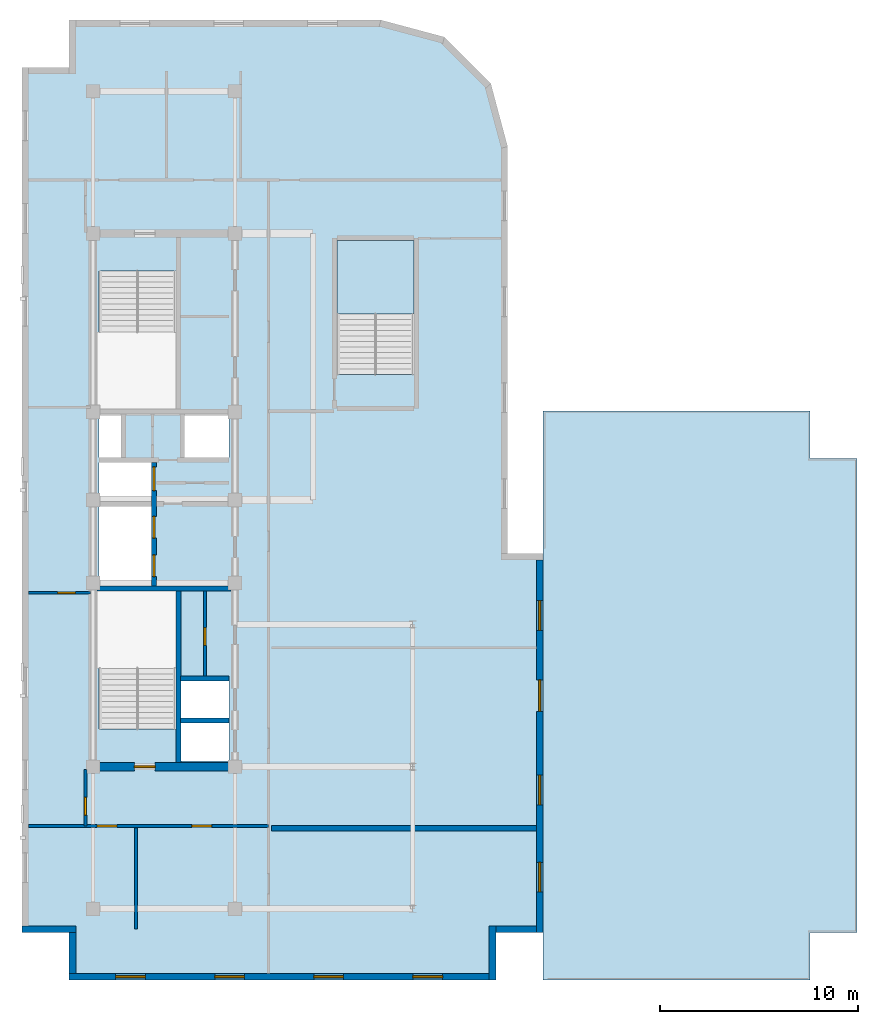
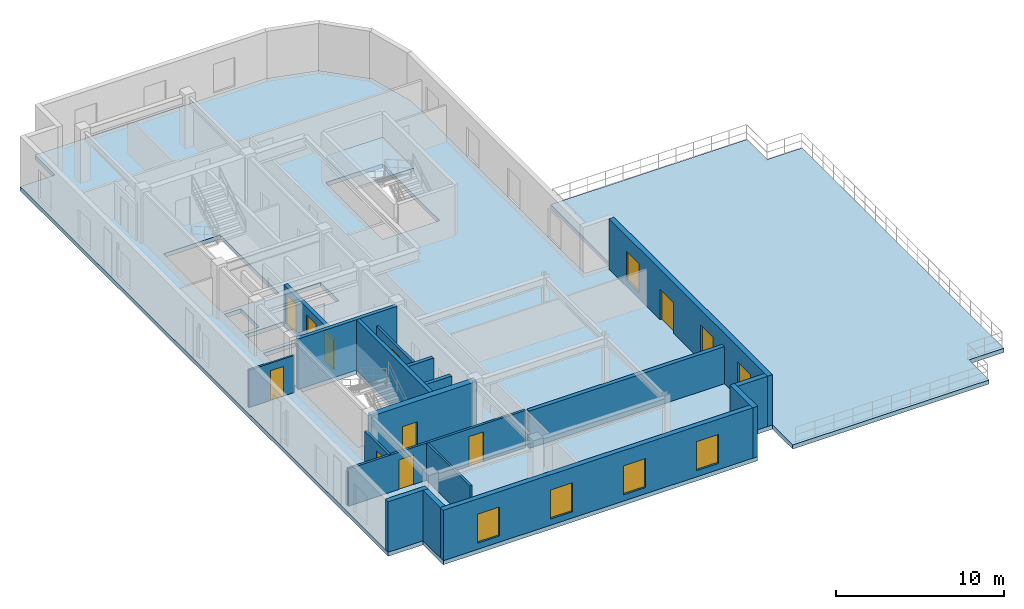
# One storey, part 2 of 7: 18 walls, 10 doors, 7 windows, 3 slabs, 17 openings, 1 element without a shape of its own.
"""IFC4 building model written with IfcOpenShell, lengths in metres."""

from ifc_helpers import new_model, entity, si_unit, converted_unit, direction, frame, origin_with_axes, origin_2d_with_axis, place, context, subcontext, project, spatial, polyline, rectangle, outline, extrude, material, layer, layer_set, type_object, element, fill, aggregate, save


model = new_model("IFC4")

# Units and contexts
model_context = context("Model", 3, precision=1e-05, world=origin_with_axes(), true_north=direction((0.0, 1.0)))
body_context = subcontext(model_context, "Body", "Model", "MODEL_VIEW")
ifc_project = project(units=[si_unit("LENGTHUNIT", "METRE"), si_unit("AREAUNIT", "SQUARE_METRE"), si_unit("VOLUMEUNIT", "CUBIC_METRE"), converted_unit("PLANEANGLEUNIT", "DEGREE", entity("IfcPlaneAngleMeasure", 0.017453292519943295), si_unit("PLANEANGLEUNIT", "RADIAN"), dimensions=[0, 0, 0, 0, 0, 0, 0]), si_unit("MASSUNIT", "GRAM", prefix="KILO"), si_unit("THERMODYNAMICTEMPERATUREUNIT", "KELVIN")], contexts=[model_context])

# Site, building, storey
site_placement = place(None, origin_with_axes())
site = spatial("IfcSite", under=ifc_project, at=site_placement, CompositionType="ELEMENT")
building_placement = place(site_placement, origin_with_axes())
building = spatial("IfcBuilding", under=site, at=building_placement, Name="Varnlund Millrace Tower", CompositionType="ELEMENT")
storey_placement = place(building_placement, frame((0.0, 0.0, 288.0), z_axis=(0.0, 0.0, 1.0), x_axis=(1.0, 0.0, 0.0)))
storey = spatial("IfcBuildingStorey", under=building, at=storey_placement, Name="L71", CompositionType="ELEMENT", Elevation=288.0)

# Slabs
ifc_material_1 = material(Name="Concrete C50/60", Category="concrete")
ifc_layer_1 = layer(ifc_material_1, 0.3, Name="Concrete C50/60")
ifc_layer_set_1 = layer_set([ifc_layer_1], Name="Concrete C50/60")
slab_type_1 = type_object("IfcSlabType", Name="Type-Cap-Deck-Terrace-300", PredefinedType="ROOF", material=ifc_layer_set_1)
slab_1_placement = place(storey_placement, frame((0.0, 0.0, -0.3), z_axis=(0.0, 0.0, 1.0), x_axis=(1.0, 0.0, 0.0)))
element("IfcSlab", 1, at=slab_1_placement, inside=storey, type_object=slab_type_1, Name="Roof terrace", PredefinedType="ROOF", context=body_context, shape_type="SweptSolid", body=[
    extrude(outline(polyline([(34.2, 0.0), (47.7, 0.0), (47.7, 2.4), (50.1, 2.4), (50.1, 26.4), (47.7, 26.4), (47.7, 28.8), (34.2, 28.8), (34.2, 0.0)])), origin_with_axes(), (0.0, 0.0, 1.0), 0.3),
])
ifc_material_2 = material(Name="Concrete C70/85", Category="concrete")
ifc_layer_2 = layer(ifc_material_2, 0.3, Name="Concrete C70/85")
ifc_layer_set_2 = layer_set([ifc_layer_2], Name="Concrete C70/85")
slab_type_2 = type_object("IfcSlabType", Name="Type-Deck-Plate-Transfer-300", PredefinedType="FLOOR", material=ifc_layer_set_2)
slab_2_placement = place(storey_placement, frame((0.0, 0.0, -0.3), z_axis=(0.0, 0.0, 1.0), x_axis=(1.0, 0.0, 0.0)))
element("IfcSlab", 2, at=slab_2_placement, inside=storey, type_object=slab_type_2, Name="Type-Deck-Plate-Transfer-300", PredefinedType="FLOOR", context=body_context, shape_type="SweptSolid", body=[
    extrude(outline(polyline([(34.2, 21.6), (32.4, 21.6), (32.4, 42.2), (31.543, 45.4), (29.2, 47.743), (26.0, 48.6), (10.2, 48.6), (10.2, 46.2), (7.8, 46.2), (7.8, 2.4), (10.2, 2.4), (10.2, 0.0), (31.8, 0.0), (31.8, 2.4), (34.2, 2.4), (34.2, 21.6)]), holes=[polyline([(18.3, 13.1), (18.3, 11.1), (15.84, 11.1), (15.84, 13.1), (18.3, 13.1)]), polyline([(18.3, 15.24), (18.3, 13.16), (15.84, 13.16), (15.84, 15.24), (18.3, 15.24)]), polyline([(15.6, 19.7), (15.6, 12.715), (11.7, 12.715), (11.7, 19.7), (15.6, 19.7)]), polyline([(11.7, 23.98), (14.38, 23.98), (14.38, 19.94), (11.7, 19.94), (11.7, 23.98)]), polyline([(14.38, 26.2), (14.38, 24.24), (11.7, 24.24), (11.7, 26.2), (14.38, 26.2)]), polyline([(12.84, 28.65), (12.84, 26.46), (11.7, 26.46), (11.7, 28.65), (12.84, 28.65)]), polyline([(18.3, 28.65), (18.3, 26.46), (16.04, 26.46), (16.04, 28.65), (18.3, 28.65)]), polyline([(15.6, 28.9), (11.7, 28.9), (11.7, 35.885), (15.6, 35.885), (15.6, 28.9)]), polyline([(27.65, 30.665), (23.75, 30.665), (23.75, 37.45), (27.65, 37.45), (27.65, 30.665)])]), origin_with_axes(), (0.0, 0.0, 1.0), 0.3),
])

# Stair, slab
stair_type = type_object("IfcStairType", Name="Type-Stair-Dogleg-185-390", PredefinedType="HALF_TURN_STAIR", material=ifc_material_1)
stair_placement = place(storey_placement, origin_with_axes())
stair = element("IfcStair", 3, at=stair_placement, inside=storey, type_object=stair_type, Name="Type-Stair-Dogleg-185-390", PredefinedType="HALF_TURN_STAIR")
ifc_layer_3 = layer(ifc_material_1, 0.2, Name="Concrete C50/60")
ifc_layer_set_3 = layer_set([ifc_layer_3], Name="Concrete C50/60")
slab_type_3 = type_object("IfcSlabType", Name="Type-StairLanding-200", PredefinedType="LANDING", material=ifc_layer_set_3)
slab_3_placement = place(storey_placement, frame((0.0, 0.0, 1.75), z_axis=(0.0, 0.0, 1.0), x_axis=(1.0, 0.0, 0.0)))
slab_3 = element("IfcSlab", 4, at=slab_3_placement, type_object=slab_type_3, Name="ST-A3 landing 1", PredefinedType="LANDING", context=body_context, shape_type="SweptSolid", body=[
    extrude(outline(polyline([(27.65, 33.73), (27.65, 37.45), (23.75, 37.45), (23.75, 33.73), (27.65, 33.73)])), origin_with_axes(), (0.0, 0.0, 1.0), 0.2),
])
aggregate(stair, [slab_3])

# Wall, opening, door
ifc_material_3 = material(Name="Concrete C60/75", Category="concrete")
ifc_layer_4 = layer(ifc_material_3, 0.42, Name="Concrete C60/75")
ifc_layer_set_4 = layer_set([ifc_layer_4], Name="Concrete C60/75")
wall_type_1 = type_object("IfcWallType", Name="Type-CoreWall-Shear-420-C60", PredefinedType="SHEAR", material=ifc_layer_set_4)
wall_1_placement = place(storey_placement, frame((11.4, 10.8, 0.0), z_axis=(0.0, 0.0, 1.0), x_axis=(1.0, 0.0, 0.0)))
wall_1 = element("IfcWall", 5, at=wall_1_placement, inside=storey, type_object=wall_type_1, Name="Type-CoreWall-Shear-420-C60", PredefinedType="SHEAR", context=body_context, shape_type="SweptSolid", body=[
    extrude(outline(polyline([(0.0, -0.21), (7.2, -0.21), (7.2, 0.21), (0.0, 0.21), (0.0, -0.21)])), origin_with_axes(), (0.0, 0.0, 1.0), 3.66),
])
opening_1_placement = place(wall_1_placement, frame((2.625, 0.0, 0.0), z_axis=(0.0, 0.0, 1.0), x_axis=(1.0, 0.0, 0.0)))
opening_1 = element("IfcOpeningElement", 6, at=opening_1_placement, cuts=wall_1, Name="Opening L71:DR-STA1", PredefinedType="OPENING", context=body_context, shape_type="SweptSolid", body=[
    extrude(rectangle(XDim=1.05, YDim=0.44, at=origin_2d_with_axis()), origin_with_axes(), (0.0, 0.0, 1.0), 2.15),
])
ifc_material_4 = material(Name="Fire-rated hollow steel door", Category="steel")
door_type_1 = type_object("IfcDoorType", Name="Type-FireDoor-Stair-1050X2150", OperationType="NOTDEFINED", PredefinedType="DOOR", material=ifc_material_4)
door_1_placement = place(wall_1_placement, frame((2.625, 0.0, 0.0), z_axis=(0.0, 0.0, 1.0), x_axis=(1.0, 0.0, 0.0)))
door_1 = element("IfcDoor", 7, at=door_1_placement, inside=storey, type_object=door_type_1, Name="Type-FireDoor-Stair-1050X2150", OperationType="SINGLE_SWING_LEFT", OverallHeight=2.15, OverallWidth=1.05, PredefinedType="DOOR", context=body_context, shape_type="SweptSolid", body=[
    extrude(rectangle(XDim=1.05, YDim=0.09, at=origin_2d_with_axis()), origin_with_axes(), (0.0, 0.0, 1.0), 2.15),
])
fill(opening_1, door_1)

# Walls
ifc_material_5 = material(Name="Precast concrete C50/60", Category="concrete")
ifc_layer_5 = layer(ifc_material_5, 0.34, Name="Precast concrete C50/60")
ifc_layer_set_5 = layer_set([ifc_layer_5], Name="Precast concrete C50/60")
wall_type_2 = type_object("IfcWallType", Name="Type-ExtWall-Precast-Upper-340", PredefinedType="SOLIDWALL", material=ifc_layer_set_5)
wall_2_placement = place(storey_placement, frame((33.86, 2.57, 0.0), z_axis=(0.0, 0.0, 1.0), x_axis=(-1.0, 0.0, 0.0)))
element("IfcWall", 8, at=wall_2_placement, inside=storey, type_object=wall_type_2, Name="Type-ExtWall-Precast-Upper-340", PredefinedType="SOLIDWALL", context=body_context, shape_type="SweptSolid", body=[
    extrude(outline(polyline([(0.0, -0.17), (2.06, -0.17), (2.06, 0.17), (0.0, 0.17), (0.0, -0.17)])), origin_with_axes(), (0.0, 0.0, 1.0), 3.66),
])
wall_3_placement = place(storey_placement, frame((31.63, 2.74, 0.0), z_axis=(0.0, 0.0, 1.0), x_axis=(0.0, -1.0, 0.0)))
element("IfcWall", 9, at=wall_3_placement, inside=storey, type_object=wall_type_2, Name="Type-ExtWall-Precast-Upper-340", PredefinedType="SOLIDWALL", context=body_context, shape_type="SweptSolid", body=[
    extrude(outline(polyline([(0.0, -0.17), (2.74, -0.17), (2.74, 0.17), (0.0, 0.17), (0.0, -0.17)])), origin_with_axes(), (0.0, 0.0, 1.0), 3.66),
])

# Wall, openings, windows
wall_4_placement = place(storey_placement, frame((31.46, 0.17, 0.0), z_axis=(0.0, 0.0, 1.0), x_axis=(-1.0, 0.0, 0.0)))
wall_4 = element("IfcWall", 10, at=wall_4_placement, inside=storey, type_object=wall_type_2, Name="Type-ExtWall-Precast-Upper-340", PredefinedType="SOLIDWALL", context=body_context, shape_type="SweptSolid", body=[
    extrude(outline(polyline([(0.0, -0.17), (21.26, -0.17), (21.26, 0.17), (0.0, 0.17), (0.0, -0.17)])), origin_with_axes(), (0.0, 0.0, 1.0), 3.66),
])
opening_2_placement = place(wall_4_placement, frame((3.108, 0.0, 0.45), z_axis=(0.0, 0.0, 1.0), x_axis=(1.0, 0.0, 0.0)))
opening_2 = element("IfcOpeningElement", 11, at=opening_2_placement, cuts=wall_4, Name="Opening L71:WN-01", PredefinedType="OPENING", context=body_context, shape_type="SweptSolid", body=[
    extrude(rectangle(XDim=1.5, YDim=0.36, at=origin_2d_with_axis()), origin_with_axes(), (0.0, 0.0, 1.0), 2.1),
])
opening_3_placement = place(wall_4_placement, frame((8.123, 0.0, 0.45), z_axis=(0.0, 0.0, 1.0), x_axis=(1.0, 0.0, 0.0)))
opening_3 = element("IfcOpeningElement", 12, at=opening_3_placement, cuts=wall_4, Name="Opening L71:WN-02", PredefinedType="OPENING", context=body_context, shape_type="SweptSolid", body=[
    extrude(rectangle(XDim=1.5, YDim=0.36, at=origin_2d_with_axis()), origin_with_axes(), (0.0, 0.0, 1.0), 2.1),
])
opening_4_placement = place(wall_4_placement, frame((13.138, 0.0, 0.45), z_axis=(0.0, 0.0, 1.0), x_axis=(1.0, 0.0, 0.0)))
opening_4 = element("IfcOpeningElement", 13, at=opening_4_placement, cuts=wall_4, Name="Opening L71:WN-03", PredefinedType="OPENING", context=body_context, shape_type="SweptSolid", body=[
    extrude(rectangle(XDim=1.5, YDim=0.36, at=origin_2d_with_axis()), origin_with_axes(), (0.0, 0.0, 1.0), 2.1),
])
opening_5_placement = place(wall_4_placement, frame((18.153, 0.0, 0.45), z_axis=(0.0, 0.0, 1.0), x_axis=(1.0, 0.0, 0.0)))
opening_5 = element("IfcOpeningElement", 14, at=opening_5_placement, cuts=wall_4, Name="Opening L71:WN-04", PredefinedType="OPENING", context=body_context, shape_type="SweptSolid", body=[
    extrude(rectangle(XDim=1.5, YDim=0.36, at=origin_2d_with_axis()), origin_with_axes(), (0.0, 0.0, 1.0), 2.1),
])
ifc_material_6 = material(Name="Argon low-e triple glazing in thermally broken bronze frame", Category="glass")
window_type = type_object("IfcWindowType", Name="Type-Window-Punched-1500X2100", PartitioningType="SINGLE_PANEL", PredefinedType="WINDOW", material=ifc_material_6)
window_1_placement = place(wall_4_placement, frame((3.108, 0.0, 0.45), z_axis=(0.0, 0.0, 1.0), x_axis=(1.0, 0.0, 0.0)))
window_1 = element("IfcWindow", 15, at=window_1_placement, inside=storey, type_object=window_type, Name="Type-Window-Punched-1500X2100", OverallHeight=2.1, OverallWidth=1.5, PredefinedType="WINDOW", context=body_context, shape_type="SweptSolid", body=[
    extrude(rectangle(XDim=1.5, YDim=0.09, at=origin_2d_with_axis()), origin_with_axes(), (0.0, 0.0, 1.0), 2.1),
])
fill(opening_2, window_1)
window_2_placement = place(wall_4_placement, frame((8.123, 0.0, 0.45), z_axis=(0.0, 0.0, 1.0), x_axis=(1.0, 0.0, 0.0)))
window_2 = element("IfcWindow", 16, at=window_2_placement, inside=storey, type_object=window_type, Name="Type-Window-Punched-1500X2100", OverallHeight=2.1, OverallWidth=1.5, PredefinedType="WINDOW", context=body_context, shape_type="SweptSolid", body=[
    extrude(rectangle(XDim=1.5, YDim=0.09, at=origin_2d_with_axis()), origin_with_axes(), (0.0, 0.0, 1.0), 2.1),
])
fill(opening_3, window_2)
window_3_placement = place(wall_4_placement, frame((13.138, 0.0, 0.45), z_axis=(0.0, 0.0, 1.0), x_axis=(1.0, 0.0, 0.0)))
window_3 = element("IfcWindow", 17, at=window_3_placement, inside=storey, type_object=window_type, Name="Type-Window-Punched-1500X2100", OverallHeight=2.1, OverallWidth=1.5, PredefinedType="WINDOW", context=body_context, shape_type="SweptSolid", body=[
    extrude(rectangle(XDim=1.5, YDim=0.09, at=origin_2d_with_axis()), origin_with_axes(), (0.0, 0.0, 1.0), 2.1),
])
fill(opening_4, window_3)
window_4_placement = place(wall_4_placement, frame((18.153, 0.0, 0.45), z_axis=(0.0, 0.0, 1.0), x_axis=(1.0, 0.0, 0.0)))
window_4 = element("IfcWindow", 18, at=window_4_placement, inside=storey, type_object=window_type, Name="Type-Window-Punched-1500X2100", OverallHeight=2.1, OverallWidth=1.5, PredefinedType="WINDOW", context=body_context, shape_type="SweptSolid", body=[
    extrude(rectangle(XDim=1.5, YDim=0.09, at=origin_2d_with_axis()), origin_with_axes(), (0.0, 0.0, 1.0), 2.1),
])
fill(opening_5, window_4)

# Walls
wall_5_placement = place(storey_placement, frame((10.37, 0.34, 0.0), z_axis=(0.0, 0.0, 1.0), x_axis=(0.0, 1.0, 0.0)))
element("IfcWall", 19, at=wall_5_placement, inside=storey, type_object=wall_type_2, Name="Type-ExtWall-Precast-Upper-340", PredefinedType="SOLIDWALL", context=body_context, shape_type="SweptSolid", body=[
    extrude(outline(polyline([(0.0, -0.17), (2.06, -0.17), (2.06, 0.17), (0.0, 0.17), (0.0, -0.17)])), origin_with_axes(), (0.0, 0.0, 1.0), 3.66),
])
wall_6_placement = place(storey_placement, frame((10.54, 2.57, 0.0), z_axis=(0.0, 0.0, 1.0), x_axis=(-1.0, 0.0, 0.0)))
element("IfcWall", 20, at=wall_6_placement, inside=storey, type_object=wall_type_2, Name="Type-ExtWall-Precast-Upper-340", PredefinedType="SOLIDWALL", context=body_context, shape_type="SweptSolid", body=[
    extrude(outline(polyline([(0.0, -0.17), (2.74, -0.17), (2.74, 0.17), (0.0, 0.17), (0.0, -0.17)])), origin_with_axes(), (0.0, 0.0, 1.0), 3.66),
])

# Wall, openings, door, windows
wall_7_placement = place(storey_placement, frame((34.03, 21.26, 0.0), z_axis=(0.0, 0.0, 1.0), x_axis=(0.0, -1.0, 0.0)))
wall_7 = element("IfcWall", 21, at=wall_7_placement, inside=storey, type_object=wall_type_2, Name="Type-ExtWall-Precast-Upper-340", PredefinedType="SOLIDWALL", context=body_context, shape_type="SweptSolid", body=[
    extrude(outline(polyline([(0.0, -0.17), (18.86, -0.17), (18.86, 0.17), (0.0, 0.17), (0.0, -0.17)])), origin_with_axes(), (0.0, 0.0, 1.0), 3.66),
])
opening_6_placement = place(wall_7_placement, frame((6.86, 0.0, 0.0), z_axis=(0.0, 0.0, 1.0), x_axis=(1.0, 0.0, 0.0)))
opening_6 = element("IfcOpeningElement", 22, at=opening_6_placement, cuts=wall_7, Name="Opening L71:DR-TERR-L71", PredefinedType="OPENING", context=body_context, shape_type="SweptSolid", body=[
    extrude(rectangle(XDim=1.6, YDim=0.36, at=origin_2d_with_axis()), origin_with_axes(), (0.0, 0.0, 1.0), 2.2),
])
opening_7_placement = place(wall_7_placement, frame((2.808, 0.0, 0.45), z_axis=(0.0, 0.0, 1.0), x_axis=(1.0, 0.0, 0.0)))
opening_7 = element("IfcOpeningElement", 23, at=opening_7_placement, cuts=wall_7, Name="Opening L71:WN-19", PredefinedType="OPENING", context=body_context, shape_type="SweptSolid", body=[
    extrude(rectangle(XDim=1.5, YDim=0.36, at=origin_2d_with_axis()), origin_with_axes(), (0.0, 0.0, 1.0), 2.1),
])
opening_8_placement = place(wall_7_placement, frame((11.638, 0.0, 0.45), z_axis=(0.0, 0.0, 1.0), x_axis=(1.0, 0.0, 0.0)))
opening_8 = element("IfcOpeningElement", 24, at=opening_8_placement, cuts=wall_7, Name="Opening L71:WN-20", PredefinedType="OPENING", context=body_context, shape_type="SweptSolid", body=[
    extrude(rectangle(XDim=1.5, YDim=0.36, at=origin_2d_with_axis()), origin_with_axes(), (0.0, 0.0, 1.0), 2.1),
])
opening_9_placement = place(wall_7_placement, frame((16.053, 0.0, 0.45), z_axis=(0.0, 0.0, 1.0), x_axis=(1.0, 0.0, 0.0)))
opening_9 = element("IfcOpeningElement", 25, at=opening_9_placement, cuts=wall_7, Name="Opening L71:WN-21", PredefinedType="OPENING", context=body_context, shape_type="SweptSolid", body=[
    extrude(rectangle(XDim=1.5, YDim=0.36, at=origin_2d_with_axis()), origin_with_axes(), (0.0, 0.0, 1.0), 2.1),
])
ifc_material_7 = material(Name="Thermally broken architectural bronze and insulated glass door", Category="glass")
door_type_2 = type_object("IfcDoorType", Name="Type-ExtDoor-Terrace-1600X2200", OperationType="NOTDEFINED", PredefinedType="DOOR", material=ifc_material_7)
door_2_placement = place(wall_7_placement, frame((6.86, 0.0, 0.0), z_axis=(0.0, 0.0, 1.0), x_axis=(1.0, 0.0, 0.0)))
door_2 = element("IfcDoor", 26, at=door_2_placement, inside=storey, type_object=door_type_2, Name="Type-ExtDoor-Terrace-1600X2200", OperationType="DOUBLE_DOOR_SINGLE_SWING", OverallHeight=2.2, OverallWidth=1.6, PredefinedType="DOOR", context=body_context, shape_type="SweptSolid", body=[
    extrude(rectangle(XDim=1.6, YDim=0.09, at=origin_2d_with_axis()), origin_with_axes(), (0.0, 0.0, 1.0), 2.2),
])
fill(opening_6, door_2)
window_5_placement = place(wall_7_placement, frame((2.808, 0.0, 0.45), z_axis=(0.0, 0.0, 1.0), x_axis=(1.0, 0.0, 0.0)))
window_5 = element("IfcWindow", 27, at=window_5_placement, inside=storey, type_object=window_type, Name="Type-Window-Punched-1500X2100", OverallHeight=2.1, OverallWidth=1.5, PredefinedType="WINDOW", context=body_context, shape_type="SweptSolid", body=[
    extrude(rectangle(XDim=1.5, YDim=0.09, at=origin_2d_with_axis()), origin_with_axes(), (0.0, 0.0, 1.0), 2.1),
])
fill(opening_7, window_5)
window_6_placement = place(wall_7_placement, frame((11.638, 0.0, 0.45), z_axis=(0.0, 0.0, 1.0), x_axis=(1.0, 0.0, 0.0)))
window_6 = element("IfcWindow", 28, at=window_6_placement, inside=storey, type_object=window_type, Name="Type-Window-Punched-1500X2100", OverallHeight=2.1, OverallWidth=1.5, PredefinedType="WINDOW", context=body_context, shape_type="SweptSolid", body=[
    extrude(rectangle(XDim=1.5, YDim=0.09, at=origin_2d_with_axis()), origin_with_axes(), (0.0, 0.0, 1.0), 2.1),
])
fill(opening_8, window_6)
window_7_placement = place(wall_7_placement, frame((16.053, 0.0, 0.45), z_axis=(0.0, 0.0, 1.0), x_axis=(1.0, 0.0, 0.0)))
window_7 = element("IfcWindow", 29, at=window_7_placement, inside=storey, type_object=window_type, Name="Type-Window-Punched-1500X2100", OverallHeight=2.1, OverallWidth=1.5, PredefinedType="WINDOW", context=body_context, shape_type="SweptSolid", body=[
    extrude(rectangle(XDim=1.5, YDim=0.09, at=origin_2d_with_axis()), origin_with_axes(), (0.0, 0.0, 1.0), 2.1),
])
fill(opening_9, window_7)

# Wall
ifc_material_8 = material(Name="Double-stud STC-60 conference acoustic partition", Category="gypsum")
ifc_layer_6 = layer(ifc_material_8, 0.28, Name="Double-stud STC-60 conference acoustic partition")
ifc_layer_set_6 = layer_set([ifc_layer_6], Name="Double-stud STC-60 conference acoustic partition")
wall_type_3 = type_object("IfcWallType", Name="Type-Partition-Acoustic-280", PredefinedType="PARTITIONING", material=ifc_layer_set_6)
wall_8_placement = place(storey_placement, frame((20.45, 7.673, 0.0), z_axis=(0.0, 0.0, 1.0), x_axis=(1.0, 0.0, 0.0)))
element("IfcWall", 30, at=wall_8_placement, inside=storey, type_object=wall_type_3, Name="Type-Partition-Acoustic-280", PredefinedType="PARTITIONING", context=body_context, shape_type="SweptSolid", body=[
    extrude(outline(polyline([(0.0, -0.14), (13.415, -0.14), (13.415, 0.14), (0.0, 0.14), (0.0, -0.14)])), origin_with_axes(), (0.0, 0.0, 1.0), 2.7),
])

# Wall, opening, door
ifc_material_9 = material(Name="Fire-rated gypsum board on cold-formed steel framing", Category="steel")
ifc_layer_7 = layer(ifc_material_9, 0.16, Name="Fire-rated gypsum board on cold-formed steel framing")
ifc_layer_set_7 = layer_set([ifc_layer_7], Name="Fire-rated gypsum board on cold-formed steel framing")
wall_type_4 = type_object("IfcWallType", Name="Type-Partition-Corridor-160", PredefinedType="PARTITIONING", material=ifc_layer_set_7)
wall_9_placement = place(storey_placement, frame((17.07, 15.34, 0.0), z_axis=(0.0, 0.0, 1.0), x_axis=(0.0, 1.0, 0.0)))
wall_9 = element("IfcWall", 31, at=wall_9_placement, inside=storey, type_object=wall_type_4, Name="Type-Partition-Corridor-160", PredefinedType="PARTITIONING", context=body_context, shape_type="SweptSolid", body=[
    extrude(outline(polyline([(0.0, -0.08), (4.36, -0.08), (4.36, 0.08), (0.0, 0.08), (0.0, -0.08)])), origin_with_axes(), (0.0, 0.0, 1.0), 2.7),
])
opening_10_placement = place(wall_9_placement, frame((2.05, 0.0, 0.0), z_axis=(0.0, 0.0, 1.0), x_axis=(1.0, 0.0, 0.0)))
opening_10 = element("IfcOpeningElement", 32, at=opening_10_placement, cuts=wall_9, Name="Opening L71:DR-RECL-S1B1", PredefinedType="OPENING", context=body_context, shape_type="SweptSolid", body=[
    extrude(rectangle(XDim=0.9, YDim=0.18, at=origin_2d_with_axis()), origin_with_axes(), (0.0, 0.0, 1.0), 2.15),
])
ifc_material_10 = material(Name="Painted steel riser and closet door", Category="steel")
door_type_3 = type_object("IfcDoorType", Name="Type-IntDoor-Closet-900X2150", OperationType="NOTDEFINED", PredefinedType="DOOR", material=ifc_material_10)
door_3_placement = place(wall_9_placement, frame((2.05, 0.0, 0.0), z_axis=(0.0, 0.0, 1.0), x_axis=(1.0, 0.0, 0.0)))
door_3 = element("IfcDoor", 33, at=door_3_placement, inside=storey, type_object=door_type_3, Name="Type-IntDoor-Closet-900X2150", OperationType="SINGLE_SWING_LEFT", OverallHeight=2.15, OverallWidth=0.9, PredefinedType="DOOR", context=body_context, shape_type="SweptSolid", body=[
    extrude(rectangle(XDim=0.9, YDim=0.09, at=origin_2d_with_axis()), origin_with_axes(), (0.0, 0.0, 1.0), 2.15),
])
fill(opening_10, door_3)

# Wall, openings, doors
wall_10_placement = place(storey_placement, frame((8.135, 7.8, 0.0), z_axis=(0.0, 0.0, 1.0), x_axis=(1.0, 0.0, 0.0)))
wall_10 = element("IfcWall", 34, at=wall_10_placement, inside=storey, type_object=wall_type_4, Name="Type-Partition-Corridor-160", PredefinedType="PARTITIONING", context=body_context, shape_type="SweptSolid", body=[
    extrude(outline(polyline([(0.0, -0.08), (12.165, -0.08), (12.165, 0.08), (0.0, 0.08), (0.0, -0.08)])), origin_with_axes(), (0.0, 0.0, 1.0), 2.7),
])
opening_11_placement = place(wall_10_placement, frame((3.982, 0.0, 0.0), z_axis=(0.0, 0.0, 1.0), x_axis=(1.0, 0.0, 0.0)))
opening_11 = element("IfcOpeningElement", 35, at=opening_11_placement, cuts=wall_10, Name="Opening L71:DR-WAS-01", PredefinedType="OPENING", context=body_context, shape_type="SweptSolid", body=[
    extrude(rectangle(XDim=1.0, YDim=0.18, at=origin_2d_with_axis()), origin_with_axes(), (0.0, 0.0, 1.0), 2.15),
])
opening_12_placement = place(wall_10_placement, frame((8.782, 0.0, 0.0), z_axis=(0.0, 0.0, 1.0), x_axis=(1.0, 0.0, 0.0)))
opening_12 = element("IfcOpeningElement", 36, at=opening_12_placement, cuts=wall_10, Name="Opening L71:DR-WAS-02", PredefinedType="OPENING", context=body_context, shape_type="SweptSolid", body=[
    extrude(rectangle(XDim=1.0, YDim=0.18, at=origin_2d_with_axis()), origin_with_axes(), (0.0, 0.0, 1.0), 2.15),
])
ifc_material_11 = material(Name="Solid-core white oak and bronze frame door")
door_type_4 = type_object("IfcDoorType", Name="Type-IntDoor-Office-1000X2150", OperationType="NOTDEFINED", PredefinedType="DOOR", material=ifc_material_11)
door_4_placement = place(wall_10_placement, frame((3.982, 0.0, 0.0), z_axis=(0.0, 0.0, 1.0), x_axis=(1.0, 0.0, 0.0)))
door_4 = element("IfcDoor", 37, at=door_4_placement, inside=storey, type_object=door_type_4, Name="Type-IntDoor-Office-1000X2150", OperationType="SINGLE_SWING_LEFT", OverallHeight=2.15, OverallWidth=1.0, PredefinedType="DOOR", context=body_context, shape_type="SweptSolid", body=[
    extrude(rectangle(XDim=1.0, YDim=0.09, at=origin_2d_with_axis()), origin_with_axes(), (0.0, 0.0, 1.0), 2.15),
])
fill(opening_11, door_4)
door_5_placement = place(wall_10_placement, frame((8.782, 0.0, 0.0), z_axis=(0.0, 0.0, 1.0), x_axis=(1.0, 0.0, 0.0)))
door_5 = element("IfcDoor", 38, at=door_5_placement, inside=storey, type_object=door_type_4, Name="Type-IntDoor-Office-1000X2150", OperationType="SINGLE_SWING_RIGHT", OverallHeight=2.15, OverallWidth=1.0, PredefinedType="DOOR", context=body_context, shape_type="SweptSolid", body=[
    extrude(rectangle(XDim=1.0, YDim=0.09, at=origin_2d_with_axis()), origin_with_axes(), (0.0, 0.0, 1.0), 2.15),
])
fill(opening_12, door_5)

# Wall, opening, door
wall_11_placement = place(storey_placement, frame((11.02, 7.8, 0.0), z_axis=(0.0, 0.0, 1.0), x_axis=(0.0, 1.0, 0.0)))
wall_11 = element("IfcWall", 39, at=wall_11_placement, inside=storey, type_object=wall_type_4, Name="Type-Partition-Corridor-160", PredefinedType="PARTITIONING", context=body_context, shape_type="SweptSolid", body=[
    extrude(outline(polyline([(0.0, -0.08), (2.85, -0.08), (2.85, 0.08), (0.0, 0.08), (0.0, -0.08)])), origin_with_axes(), (0.0, 0.0, 1.0), 2.7),
])
opening_13_placement = place(wall_11_placement, frame((1.0, 0.0, 0.0), z_axis=(0.0, 0.0, 1.0), x_axis=(1.0, 0.0, 0.0)))
opening_13 = element("IfcOpeningElement", 40, at=opening_13_placement, cuts=wall_11, Name="Opening L71:DR-WU-S1", PredefinedType="OPENING", context=body_context, shape_type="SweptSolid", body=[
    extrude(rectangle(XDim=0.9, YDim=0.18, at=origin_2d_with_axis()), origin_with_axes(), (0.0, 0.0, 1.0), 2.15),
])
door_6_placement = place(wall_11_placement, frame((1.0, 0.0, 0.0), z_axis=(0.0, 0.0, 1.0), x_axis=(1.0, 0.0, 0.0)))
door_6 = element("IfcDoor", 41, at=door_6_placement, inside=storey, type_object=door_type_3, Name="Type-IntDoor-Closet-900X2150", OperationType="SINGLE_SWING_LEFT", OverallHeight=2.15, OverallWidth=0.9, PredefinedType="DOOR", context=body_context, shape_type="SweptSolid", body=[
    extrude(rectangle(XDim=0.9, YDim=0.09, at=origin_2d_with_axis()), origin_with_axes(), (0.0, 0.0, 1.0), 2.15),
])
fill(opening_13, door_6)

# Wall
ifc_material_12 = material(Name="Acoustic STC-50 gypsum board partition", Category="gypsum")
ifc_layer_8 = layer(ifc_material_12, 0.15, Name="Acoustic STC-50 gypsum board partition")
ifc_layer_set_8 = layer_set([ifc_layer_8], Name="Acoustic STC-50 gypsum board partition")
wall_type_5 = type_object("IfcWallType", Name="Type-Partition-Demising-150", PredefinedType="PARTITIONING", material=ifc_layer_set_8)
wall_12_placement = place(storey_placement, frame((13.584, 2.58, 0.0), z_axis=(0.0, 0.0, 1.0), x_axis=(0.0, 1.0, 0.0)))
element("IfcWall", 42, at=wall_12_placement, inside=storey, type_object=wall_type_5, Name="Type-Partition-Demising-150", PredefinedType="PARTITIONING", context=body_context, shape_type="SweptSolid", body=[
    extrude(outline(polyline([(0.0, -0.075), (5.12, -0.075), (5.12, 0.075), (0.0, 0.075), (0.0, -0.075)])), origin_with_axes(), (0.0, 0.0, 1.0), 2.7),
])

# Wall, opening, door
ifc_material_13 = material(Name="Gypsum board tenant partition", Category="gypsum")
ifc_layer_9 = layer(ifc_material_13, 0.125, Name="Gypsum board tenant partition")
ifc_layer_set_9 = layer_set([ifc_layer_9], Name="Gypsum board tenant partition")
wall_type_6 = type_object("IfcWallType", Name="Type-Partition-Tenant-125", PredefinedType="PARTITIONING", material=ifc_layer_set_9)
wall_13_placement = place(storey_placement, frame((8.135, 19.6, 0.0), z_axis=(0.0, 0.0, 1.0), x_axis=(1.0, 0.0, 0.0)))
wall_13 = element("IfcWall", 43, at=wall_13_placement, inside=storey, type_object=wall_type_6, Name="Type-Partition-Tenant-125", PredefinedType="PARTITIONING", context=body_context, shape_type="SweptSolid", body=[
    extrude(outline(polyline([(0.0, -0.0625), (3.135, -0.0625), (3.135, 0.0625), (0.0, 0.0625), (0.0, -0.0625)])), origin_with_axes(), (0.0, 0.0, 1.0), 2.7),
])
opening_14_placement = place(wall_13_placement, frame((1.925, 0.0, 0.0), z_axis=(0.0, 0.0, 1.0), x_axis=(1.0, 0.0, 0.0)))
opening_14 = element("IfcOpeningElement", 44, at=opening_14_placement, cuts=wall_13, Name="Opening L71:DR-WU-M1", PredefinedType="OPENING", context=body_context, shape_type="SweptSolid", body=[
    extrude(rectangle(XDim=0.9, YDim=0.145, at=origin_2d_with_axis()), origin_with_axes(), (0.0, 0.0, 1.0), 2.15),
])
door_7_placement = place(wall_13_placement, frame((1.925, 0.0, 0.0), z_axis=(0.0, 0.0, 1.0), x_axis=(1.0, 0.0, 0.0)))
door_7 = element("IfcDoor", 45, at=door_7_placement, inside=storey, type_object=door_type_3, Name="Type-IntDoor-Closet-900X2150", OperationType="SINGLE_SWING_LEFT", OverallHeight=2.15, OverallWidth=0.9, PredefinedType="DOOR", context=body_context, shape_type="SweptSolid", body=[
    extrude(rectangle(XDim=0.9, YDim=0.075, at=origin_2d_with_axis()), origin_with_axes(), (0.0, 0.0, 1.0), 2.15),
])
fill(opening_14, door_7)

# Wall, openings, doors
ifc_layer_10 = layer(ifc_material_3, 0.25, Name="Concrete C60/75")
ifc_layer_set_10 = layer_set([ifc_layer_10], Name="Concrete C60/75")
wall_type_7 = type_object("IfcWallType", Name="Type-ShaftWall-Fire-250", PredefinedType="SOLIDWALL", material=ifc_layer_set_10)
wall_14_placement = place(storey_placement, frame((14.5, 19.95, 0.0), z_axis=(0.0, 0.0, 1.0), x_axis=(0.0, 1.0, 0.0)))
wall_14 = element("IfcWall", 46, at=wall_14_placement, inside=storey, type_object=wall_type_7, Name="Type-ShaftWall-Fire-250", PredefinedType="SOLIDWALL", context=body_context, shape_type="SweptSolid", body=[
    extrude(outline(polyline([(0.0, -0.125), (6.25, -0.125), (6.25, 0.125), (0.0, 0.125), (0.0, -0.125)])), origin_with_axes(), (0.0, 0.0, 1.0), 2.7),
])
opening_15_placement = place(wall_14_placement, frame((1.025, 0.0, 0.0), z_axis=(0.0, 0.0, 1.0), x_axis=(1.0, 0.0, 0.0)))
opening_15 = element("IfcOpeningElement", 47, at=opening_15_placement, cuts=wall_14, Name="Opening L71:LD-FSAE1", PredefinedType="OPENING", context=body_context, shape_type="SweptSolid", body=[
    extrude(rectangle(XDim=1.1, YDim=0.27, at=origin_2d_with_axis()), origin_with_axes(), (0.0, 0.0, 1.0), 2.15),
])
opening_16_placement = place(wall_14_placement, frame((2.975, 0.0, 0.0), z_axis=(0.0, 0.0, 1.0), x_axis=(1.0, 0.0, 0.0)))
opening_16 = element("IfcOpeningElement", 48, at=opening_16_placement, cuts=wall_14, Name="Opening L71:LD-FSAE2", PredefinedType="OPENING", context=body_context, shape_type="SweptSolid", body=[
    extrude(rectangle(XDim=1.1, YDim=0.27, at=origin_2d_with_axis()), origin_with_axes(), (0.0, 0.0, 1.0), 2.15),
])
opening_17_placement = place(wall_14_placement, frame((5.425, 0.0, 0.0), z_axis=(0.0, 0.0, 1.0), x_axis=(1.0, 0.0, 0.0)))
opening_17 = element("IfcOpeningElement", 49, at=opening_17_placement, cuts=wall_14, Name="Opening L71:LD-SRV1", PredefinedType="OPENING", context=body_context, shape_type="SweptSolid", body=[
    extrude(rectangle(XDim=1.2, YDim=0.27, at=origin_2d_with_axis()), origin_with_axes(), (0.0, 0.0, 1.0), 2.15),
])
ifc_material_14 = material(Name="Stainless and architectural bronze sliding landing door")
door_type_5 = type_object("IfcDoorType", Name="Type-LiftLandingDoor-1100X2150", OperationType="NOTDEFINED", PredefinedType="DOOR", material=ifc_material_14)
door_8_placement = place(wall_14_placement, frame((1.025, 0.0, 0.0), z_axis=(0.0, 0.0, 1.0), x_axis=(1.0, 0.0, 0.0)))
door_8 = element("IfcDoor", 50, at=door_8_placement, inside=storey, type_object=door_type_5, Name="Type-LiftLandingDoor-1100X2150", OperationType="SLIDING_TO_LEFT", OverallHeight=2.15, OverallWidth=1.1, PredefinedType="DOOR", context=body_context, shape_type="SweptSolid", body=[
    extrude(rectangle(XDim=1.1, YDim=0.09, at=origin_2d_with_axis()), origin_with_axes(), (0.0, 0.0, 1.0), 2.15),
])
fill(opening_15, door_8)
door_9_placement = place(wall_14_placement, frame((2.975, 0.0, 0.0), z_axis=(0.0, 0.0, 1.0), x_axis=(1.0, 0.0, 0.0)))
door_9 = element("IfcDoor", 51, at=door_9_placement, inside=storey, type_object=door_type_5, Name="Type-LiftLandingDoor-1100X2150", OperationType="SLIDING_TO_RIGHT", OverallHeight=2.15, OverallWidth=1.1, PredefinedType="DOOR", context=body_context, shape_type="SweptSolid", body=[
    extrude(rectangle(XDim=1.1, YDim=0.09, at=origin_2d_with_axis()), origin_with_axes(), (0.0, 0.0, 1.0), 2.15),
])
fill(opening_16, door_9)
ifc_material_15 = material(Name="Heavy-duty freight sliding landing door")
door_type_6 = type_object("IfcDoorType", Name="Type-LiftLandingDoor-Service-1200X2150", OperationType="NOTDEFINED", PredefinedType="DOOR", material=ifc_material_15)
door_10_placement = place(wall_14_placement, frame((5.425, 0.0, 0.0), z_axis=(0.0, 0.0, 1.0), x_axis=(1.0, 0.0, 0.0)))
door_10 = element("IfcDoor", 52, at=door_10_placement, inside=storey, type_object=door_type_6, Name="Type-LiftLandingDoor-Service-1200X2150", OperationType="DOUBLE_DOOR_SLIDING", OverallHeight=2.15, OverallWidth=1.2, PredefinedType="DOOR", context=body_context, shape_type="SweptSolid", body=[
    extrude(rectangle(XDim=1.2, YDim=0.09, at=origin_2d_with_axis()), origin_with_axes(), (0.0, 0.0, 1.0), 2.15),
])
fill(opening_17, door_10)

# Walls
for number, where, z_axis, x_axis, name in (
    (53, (15.84, 13.13, 0.0), (0.0, 0.0, 1.0), (1.0, 0.0, 0.0), "Type-ShaftWall-Fire-250"),
    (54, (15.84, 15.27, 0.0), (0.0, 0.0, 1.0), (1.0, 0.0, 0.0), "Type-ShaftWall-Fire-250"),
):
    element("IfcWall", number, at=place(storey_placement, frame(where, z_axis=z_axis, x_axis=x_axis)), inside=storey, type_object=wall_type_7, Name=name, PredefinedType="SOLIDWALL", context=body_context, shape_type="SweptSolid", body=[
        extrude(outline(polyline([(0.0, -0.125), (2.46, -0.125), (2.46, 0.125), (0.0, 0.125), (0.0, -0.125)])), origin_with_axes(), (0.0, 0.0, 1.0), 2.7),
    ])
wall_type_8 = type_object("IfcWallType", Name="Type-StairWall-Shear-250", PredefinedType="SHEAR", material=ifc_layer_set_10)
wall_15_placement = place(storey_placement, frame((15.725, 11.01, 0.0), z_axis=(0.0, 0.0, 1.0), x_axis=(0.0, 1.0, 0.0)))
element("IfcWall", 55, at=wall_15_placement, inside=storey, type_object=wall_type_8, Name="Type-StairWall-Shear-250", PredefinedType="SHEAR", context=body_context, shape_type="SweptSolid", body=[
    extrude(outline(polyline([(0.0, -0.125), (8.69, -0.125), (8.69, 0.125), (0.0, 0.125), (0.0, -0.125)])), origin_with_axes(), (0.0, 0.0, 1.0), 3.66),
])
wall_16_placement = place(storey_placement, frame((11.61, 19.825, 0.0), z_axis=(0.0, 0.0, 1.0), x_axis=(1.0, 0.0, 0.0)))
element("IfcWall", 56, at=wall_16_placement, inside=storey, type_object=wall_type_8, Name="Type-StairWall-Shear-250", PredefinedType="SHEAR", context=body_context, shape_type="SweptSolid", body=[
    extrude(outline(polyline([(0.0, -0.125), (6.78, -0.125), (6.78, 0.125), (0.0, 0.125), (0.0, -0.125)])), origin_with_axes(), (0.0, 0.0, 1.0), 3.66),
])

save(model, "model.ifc")
